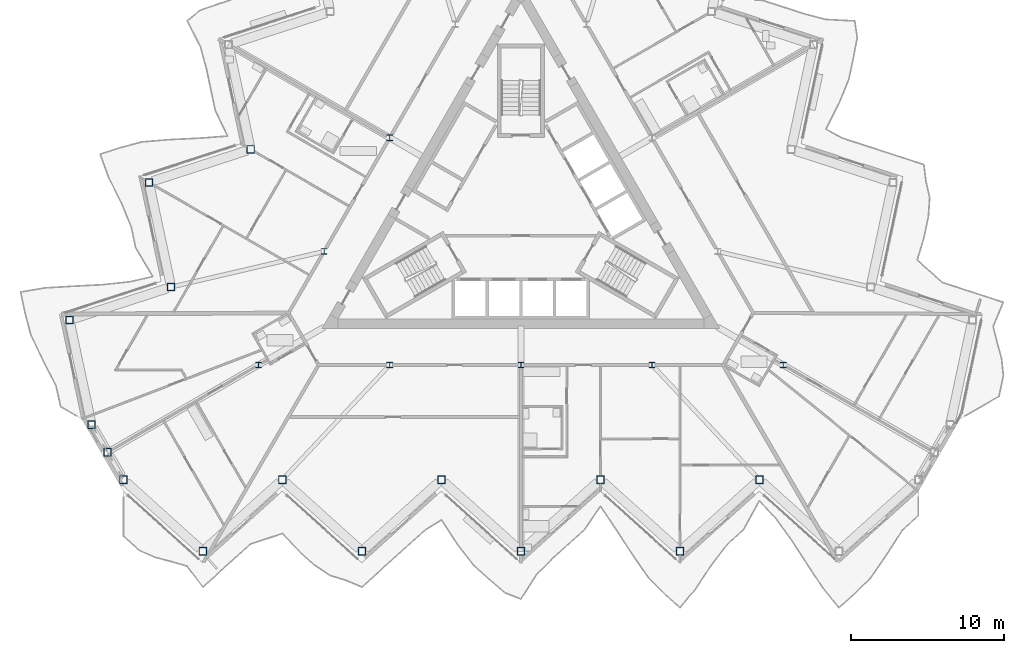
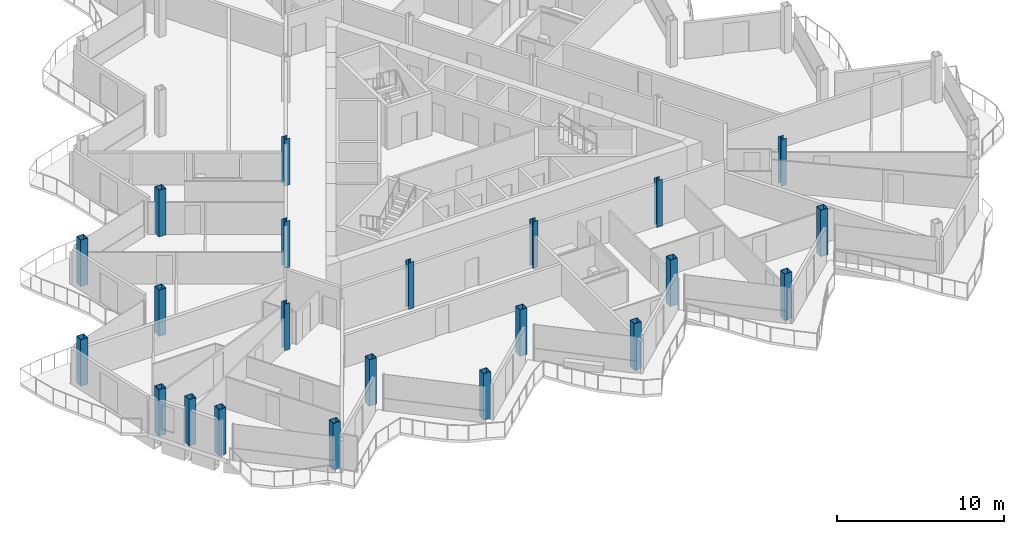
# One storey, part 1 of 27: 22 columns.
"""IFC4 building model written with IfcOpenShell, lengths in metres."""

import ifcopenshell
import ifcopenshell.guid

model = None  # the IFC model being written
_history = None  # IfcOwnerHistory: only IFC2X3 demands one
_inside = {}  # id of a spatial element -> (the spatial element, [elements in it])
_under = {}  # id of a project, library or spatial element -> (it, [spatial elements below it])
_declared = {}  # id of a project -> (the project, [libraries it declares])
_typed = {}  # id of a type object -> (the type object, [elements of that type])
_made_of = {}  # id of a material, layer set ... -> (it, [elements and type objects made of it])


def new_model(schema):
    """Start an empty IFC model of exactly this schema.

    Asked for "IFC4X3", IfcOpenShell would pick the latest addendum, in which some entities
    have other attributes; the version numbers below select the first issue.
    IFC2X3 requires an IfcOwnerHistory on every rooted entity: one is made here for all.
    """
    global model, _history
    if schema == "IFC4X3":
        model = ifcopenshell.file(schema_version=(4, 3, 0, 0))
    else:
        model = ifcopenshell.file(schema=schema)
    _inside.clear()
    _under.clear()
    _declared.clear()
    _typed.clear()
    _made_of.clear()
    _history = None
    if model.schema == "IFC2X3":
        org = make("IfcOrganization", Name="unknown")
        user = make(
            "IfcPersonAndOrganization",
            ThePerson=make("IfcPerson", FamilyName="unknown"),
            TheOrganization=org,
        )
        app = make(
            "IfcApplication",
            ApplicationDeveloper=org,
            Version="unknown",
            ApplicationFullName="unknown",
            ApplicationIdentifier="unknown",
        )
        _history = make(
            "IfcOwnerHistory",
            OwningUser=user,
            OwningApplication=app,
            ChangeAction="ADDED",
            CreationDate=0,
        )
    return model


def make(cls, **values):
    """One entity of the class cls with the attributes given. An attribute that is None is left unset."""
    return model.create_entity(
        cls, **{name: value for name, value in values.items() if value is not None}
    )


def rooted(cls, **values):
    """An entity with a GlobalId (a new one), such as an element, a storey or a relation."""
    return make(cls, GlobalId=ifcopenshell.guid.new(), OwnerHistory=_history, **values)


def si_unit(unit_type, name, prefix=None):
    """IfcSIUnit, for example si_unit("LENGTHUNIT", "METRE", prefix="MILLI")."""
    return make("IfcSIUnit", UnitType=unit_type, Prefix=prefix, Name=name)


def assignment(units):
    """IfcUnitAssignment: the units of a project."""
    return None if units is None else make("IfcUnitAssignment", Units=units)


def point(xyz):
    """IfcCartesianPoint."""
    return None if xyz is None else make("IfcCartesianPoint", Coordinates=xyz)


def direction(xyz):
    """IfcDirection."""
    return None if xyz is None else make("IfcDirection", DirectionRatios=xyz)


def frame(location, z_axis=None, x_axis=None):
    """IfcAxis2Placement3D, a coordinate frame: its origin and axes. An axis left out is left unset."""
    return make(
        "IfcAxis2Placement3D",
        Location=point(location),
        Axis=direction(z_axis),
        RefDirection=direction(x_axis),
    )


def frame_2d(location, x_axis=None):
    """IfcAxis2Placement2D, a coordinate frame in the plane: its origin and x axis."""
    return make(
        "IfcAxis2Placement2D", Location=point(location), RefDirection=direction(x_axis)
    )


def origin():
    """The frame at (0, 0, 0) with its axes left unset."""
    return frame((0.0, 0.0, 0.0))


def origin_2d():
    """The frame at (0, 0) in the plane with its x axis left unset."""
    return frame_2d((0.0, 0.0))


def place(relative_to, where):
    """IfcLocalPlacement: puts the frame where relative to a parent placement (None: the world)."""
    return make(
        "IfcLocalPlacement", PlacementRelTo=relative_to, RelativePlacement=where
    )


def context(
    kind, dimensions, precision=None, world=None, true_north=None, identifier=None
):
    """IfcGeometricRepresentationContext, for example the 3D "Model" context."""
    return make(
        "IfcGeometricRepresentationContext",
        ContextIdentifier=identifier,
        ContextType=kind,
        CoordinateSpaceDimension=dimensions,
        Precision=precision,
        WorldCoordinateSystem=world,
        TrueNorth=true_north,
    )


def subcontext(parent, identifier, kind, view, scale=None):
    """IfcGeometricRepresentationSubContext, for example "Body" below "Model"."""
    return make(
        "IfcGeometricRepresentationSubContext",
        ContextIdentifier=identifier,
        ContextType=kind,
        ParentContext=parent,
        TargetScale=scale,
        TargetView=view,
    )


def project(units=None, contexts=None):
    """IfcProject with its units and contexts."""
    return rooted(
        "IfcProject",
        Name="project",
        RepresentationContexts=contexts,
        UnitsInContext=assignment(units),
    )


def spatial(cls, under=None, at=None, **own):
    """A site, building, storey or space (cls), placed at a placement, below another one or the project."""
    s = rooted(cls, ObjectPlacement=at, **own)
    if under is not None:
        _under.setdefault(under.id(), (under, []))[1].append(s)
    return s


def profile(cls, at=None, kind="AREA", **sizes):
    """A parametric profile (cls). Its sizes go by their IFC names, for example OverallWidth=200.0."""
    return make(cls, ProfileType=kind, Position=at, **sizes)


def hollow_rectangle(**sizes):
    """IfcRectangleHollowProfileDef."""
    return profile("IfcRectangleHollowProfileDef", **sizes)


def i_section(**sizes):
    """IfcIShapeProfileDef."""
    return profile("IfcIShapeProfileDef", **sizes)


def extrude(swept, where, along, depth):
    """IfcExtrudedAreaSolid: the profile swept, set in the frame where, extruded along a direction by depth."""
    return make(
        "IfcExtrudedAreaSolid",
        SweptArea=swept,
        Position=where,
        ExtrudedDirection=direction(along),
        Depth=depth,
    )


def shape(context_of_items, identifier, shape_type, items):
    """IfcShapeRepresentation: the items that make up one representation, for example the "Body"."""
    return make(
        "IfcShapeRepresentation",
        ContextOfItems=context_of_items,
        RepresentationIdentifier=identifier,
        RepresentationType=shape_type,
        Items=items,
    )


def material(Name=None, Category=None):
    """IfcMaterial."""
    return make("IfcMaterial", Name=Name, Category=Category)


def material_profile(
    of_material, cross_section, Name=None, Category=None, Priority=None
):
    """IfcMaterialProfile: a cross section and its material."""
    return make(
        "IfcMaterialProfile",
        Name=Name,
        Material=of_material,
        Profile=cross_section,
        Priority=Priority,
        Category=Category,
    )


def profile_set(profiles, Name=None, composite=None):
    """IfcMaterialProfileSet."""
    return make(
        "IfcMaterialProfileSet",
        Name=Name,
        MaterialProfiles=profiles,
        CompositeProfile=composite,
    )


def made_of(thing, what):
    """Note that an element or type object is made of a material, layer set ...; save() writes the relation."""
    if what is not None:
        _made_of.setdefault(what.id(), (what, []))[1].append(thing)
    return thing


def type_object(cls, material=None, **own):
    """A type object (cls), such as IfcWallType, which elements share."""
    return made_of(rooted(cls, **own), material)


def element(
    cls,
    number,
    at=None,
    inside=None,
    cuts=None,
    type_object=None,
    material=None,
    context=None,
    identifier="Body",
    shape_type=None,
    held_by="IfcProductDefinitionShape",
    body=None,
    shapes=None,
    **own,
):
    """One element of the class cls, such as IfcWall. Its Tag is "e" and its number.

    at: its placement. inside: the storey or other place that contains it. cuts: it is an
    opening in that element (IfcRelVoidsElement). A single representation is given by context,
    identifier, shape_type and body (its items); several are given by shapes. held_by: the class
    of the entity that holds the representations. save() writes the other relations.
    """
    e = rooted(cls, Tag="e%d" % number, ObjectPlacement=at, **own)
    if body is not None:
        shapes = [shape(context, identifier, shape_type, body)]
    if shapes is not None:
        e.Representation = make(held_by, Representations=shapes)
    if inside is not None:
        _inside.setdefault(inside.id(), (inside, []))[1].append(e)
    if cuts is not None:
        rooted(
            "IfcRelVoidsElement", RelatingBuildingElement=cuts, RelatedOpeningElement=e
        )
    if type_object is not None:
        _typed.setdefault(type_object.id(), (type_object, []))[1].append(e)
    return made_of(e, material)


def aggregate(whole, parts):
    """IfcRelAggregates: a whole, such as a stair, and the parts it consists of."""
    return rooted("IfcRelAggregates", RelatingObject=whole, RelatedObjects=parts)


def save(model, path):
    """Write the relations noted so far, then the file.

    IfcRelAggregates (storeys below a building ...), IfcRelContainedInSpatialStructure (elements
    in a storey), IfcRelDefinesByType, IfcRelAssociatesMaterial and IfcRelDeclares: one each for
    every whole, place, type object, material and project.
    """
    for whole, parts in _under.values():
        aggregate(whole, parts)
    for where, things in _inside.values():
        rooted(
            "IfcRelContainedInSpatialStructure",
            RelatedElements=things,
            RelatingStructure=where,
        )
    for kind, things in _typed.values():
        rooted("IfcRelDefinesByType", RelatedObjects=things, RelatingType=kind)
    for what, things in _made_of.values():
        rooted("IfcRelAssociatesMaterial", RelatedObjects=things, RelatingMaterial=what)
    for by, libraries in _declared.values():
        rooted("IfcRelDeclares", RelatingContext=by, RelatedDefinitions=libraries)
    model.write(path)


model = new_model("IFC4")

# Units and contexts
model_context = context("Model", 3, precision=1e-05, world=origin(), true_north=direction((0.0, 1.0)))
body_context = subcontext(model_context, "Body", "Model", "MODEL_VIEW")
ifc_project = project(units=[si_unit("LENGTHUNIT", "METRE"), si_unit("AREAUNIT", "SQUARE_METRE"), si_unit("VOLUMEUNIT", "CUBIC_METRE"), si_unit("PLANEANGLEUNIT", "RADIAN"), si_unit("MASSUNIT", "GRAM", prefix="KILO")], contexts=[model_context])

# Site, building, storey
site_placement = place(None, origin())
site = spatial("IfcSite", under=ifc_project, at=site_placement, CompositionType="ELEMENT")
building_placement = place(site_placement, origin())
building = spatial("IfcBuilding", under=site, at=building_placement, Name="Cormorant Prow Tower", CompositionType="ELEMENT")
storey_placement = place(building_placement, frame((0.0, 0.0, 361.0)))
storey = spatial("IfcBuildingStorey", under=building, at=storey_placement, Name="L80", CompositionType="ELEMENT", Elevation=361.0)

# Columns
ifc_material_1 = material(Name="Structural steel ASTM A572 Gr 50", Category="steel")
ifc_material_profile_1 = material_profile(ifc_material_1, hollow_rectangle(XDim=0.5, YDim=0.5, WallThickness=0.030029296875, at=origin_2d()), Name="Box 500x500x30")
ifc_profile_set_1 = profile_set([ifc_material_profile_1], Name="Structural steel ASTM A572 Gr 50")
column_type_1 = type_object("IfcColumnType", Name="Perimeter box column 500x500x30", PredefinedType="COLUMN", material=ifc_profile_set_1)
for number, where, z_axis, x_axis, name in (
    (1, (-26.0, -17.40576171875, 0.0), (0.0, 0.0, 1.0), (1.0, 0.0, 0.0), "Perimeter column C7 at S00 L80"),
    (2, (-20.800048828125, -22.087890625, 0.0), (0.0, 0.0, 1.0), (1.0, 0.0, 0.0), "Perimeter column C7 at S01 L80"),
    (3, (-15.60009765625, -17.40576171875, 0.0), (0.0, 0.0, 1.0), (1.0, 0.0, 0.0), "Perimeter column C7 at S02 L80"),
    (4, (-10.39990234375, -22.087890625, 0.0), (0.0, 0.0, 1.0), (1.0, 0.0, 0.0), "Perimeter column C7 at S03 L80"),
    (5, (-5.199951171875, -17.40576171875, 0.0), (0.0, 0.0, 1.0), (1.0, 0.0, 0.0), "Perimeter column C7 at S04 L80"),
    (6, (0.0, -22.087890625, 0.0), (0.0, 0.0, 1.0), (1.0, 0.0, 0.0), "Perimeter column C7 at S05 L80"),
    (7, (5.199951171875, -17.40576171875, 0.0), (0.0, 0.0, 1.0), (1.0, 0.0, 0.0), "Perimeter column C7 at S06 L80"),
    (8, (10.39990234375, -22.087890625, 0.0), (0.0, 0.0, 1.0), (1.0, 0.0, 0.0), "Perimeter column C7 at S07 L80"),
    (9, (15.60009765625, -17.40576171875, 0.0), (0.0, 0.0, 1.0), (1.0, 0.0, 0.0), "Perimeter column C7 at S08 L80"),
    (10, (-17.673828125, 4.199462890625, 0.0), (0.0, 0.0, 1.0), (1.0, 0.0, 0.0), "Perimeter column C7 at WNW06 L80"),
    (11, (-24.32861328125, 2.037353515625, 0.0), (0.0, 0.0, 1.0), (1.0, 0.0, 0.0), "Perimeter column C7 at WNW07 L80"),
    (12, (-22.873779296875, -4.80712890625, 0.0), (0.0, 0.0, 1.0), (1.0, 0.0, 0.0), "Perimeter column C7 at WNW08 L80"),
    (13, (-29.528564453125, -6.969482421875, 0.0), (0.0, 0.0, 1.0), (1.0, 0.0, 0.0), "Perimeter column C7 at WNW09 L80"),
    (14, (-28.07373046875, -13.813720703125, 0.0), (0.0, 0.0, 1.0), (1.0, 0.0, 0.0), "Perimeter column C7 at WSW00 L80"),
    (15, (-27.036865234375, -15.60986328125, 0.0), (0.0, 0.0, 1.0), (1.0, 0.0, 0.0), "Perimeter column C7 at WSW01 L80"),
):
    element("IfcColumn", number, at=place(storey_placement, frame(where, z_axis=z_axis, x_axis=x_axis)), inside=storey, type_object=column_type_1, Name=name, PredefinedType="COLUMN", context=body_context, shape_type="SweptSolid", body=[
        extrude(hollow_rectangle(XDim=0.5, YDim=0.5, WallThickness=0.030029296875, at=origin_2d()), origin(), (0.0, 0.0, 1.0), 3.39990234375),
    ])
ifc_material_2 = material(Name="Structural steel ASTM A992 Gr 50", Category="steel")
ifc_material_profile_2 = material_profile(ifc_material_2, i_section(OverallWidth=0.3740234375, OverallDepth=0.372314453125, WebThickness=0.016357421875, FlangeThickness=0.026123046875, at=origin_2d()), Name="W14x132")
ifc_profile_set_2 = profile_set([ifc_material_profile_2], Name="Structural steel ASTM A992 Gr 50")
column_type_2 = type_object("IfcColumnType", Name="Ring column W14x132", PredefinedType="COLUMN", material=ifc_profile_set_2)
for number, where, z_axis, x_axis, name in (
    (16, (-8.578369140625, 4.952880859375, 0.0), (0.0, 0.0, 1.0), (1.0, 0.0, 0.0), "Ring column 3 L80"),
    (17, (-12.86767578125, -2.476318359375, 0.0), (0.0, 0.0, 1.0), (1.0, 0.0, 0.0), "Ring column 4 L80"),
    (18, (-17.156982421875, -9.905517578125, 0.0), (0.0, 0.0, 1.0), (1.0, 0.0, 0.0), "Ring column 5 L80"),
    (19, (-8.578369140625, -9.905517578125, 0.0), (0.0, 0.0, 1.0), (1.0, 0.0, 0.0), "Ring column 6 L80"),
    (20, (0.0, -9.905517578125, 0.0), (0.0, 0.0, 1.0), (1.0, 0.0, 0.0), "Ring column 7 L80"),
    (21, (8.578369140625, -9.905517578125, 0.0), (0.0, 0.0, 1.0), (1.0, 0.0, 0.0), "Ring column 8 L80"),
    (22, (17.156982421875, -9.905517578125, 0.0), (0.0, 0.0, 1.0), (1.0, 0.0, 0.0), "Ring column 9 L80"),
):
    element("IfcColumn", number, at=place(storey_placement, frame(where, z_axis=z_axis, x_axis=x_axis)), inside=storey, type_object=column_type_2, Name=name, PredefinedType="COLUMN", context=body_context, shape_type="SweptSolid", body=[
        extrude(i_section(OverallWidth=0.3740234375, OverallDepth=0.372314453125, WebThickness=0.016357421875, FlangeThickness=0.026123046875, at=origin_2d()), origin(), (0.0, 0.0, 1.0), 3.39990234375),
    ])

save(model, "model.ifc")
